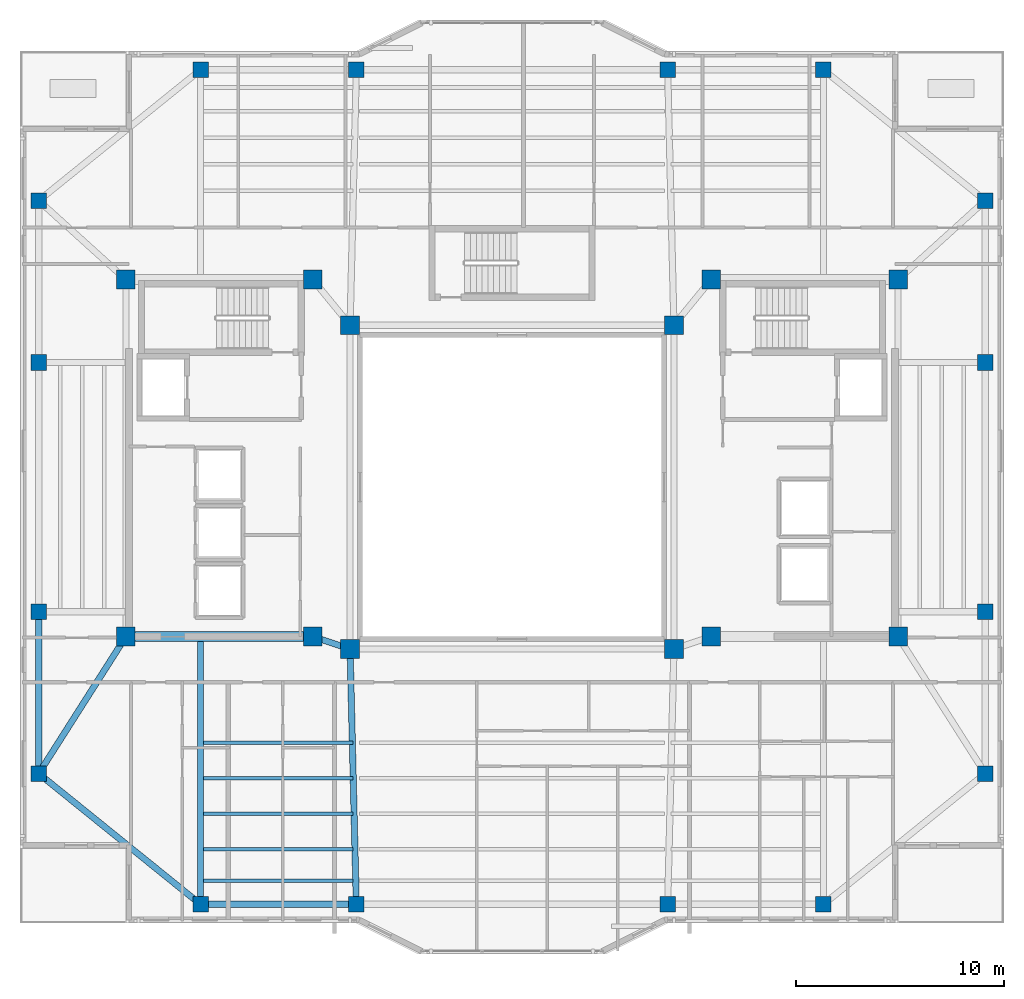
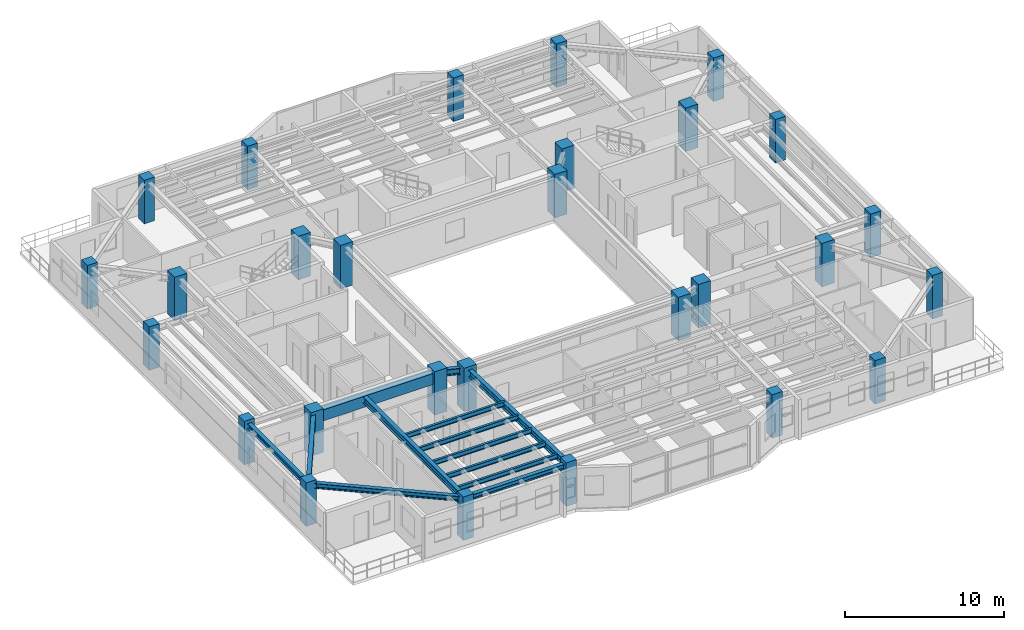
# One storey, part 1 of 15: 28 columns, 13 beams.
"""IFC4 building model written with IfcOpenShell, lengths in metres."""

import ifcopenshell
import ifcopenshell.guid

model = None  # the IFC model being written
_history = None  # IfcOwnerHistory: only IFC2X3 demands one
_inside = {}  # id of a spatial element -> (the spatial element, [elements in it])
_under = {}  # id of a project, library or spatial element -> (it, [spatial elements below it])
_declared = {}  # id of a project -> (the project, [libraries it declares])
_typed = {}  # id of a type object -> (the type object, [elements of that type])
_made_of = {}  # id of a material, layer set ... -> (it, [elements and type objects made of it])


def new_model(schema):
    """Start an empty IFC model of exactly this schema.

    Asked for "IFC4X3", IfcOpenShell would pick the latest addendum, in which some entities
    have other attributes; the version numbers below select the first issue.
    IFC2X3 requires an IfcOwnerHistory on every rooted entity: one is made here for all.
    """
    global model, _history
    if schema == "IFC4X3":
        model = ifcopenshell.file(schema_version=(4, 3, 0, 0))
    else:
        model = ifcopenshell.file(schema=schema)
    _inside.clear()
    _under.clear()
    _declared.clear()
    _typed.clear()
    _made_of.clear()
    _history = None
    if model.schema == "IFC2X3":
        org = make("IfcOrganization", Name="unknown")
        user = make(
            "IfcPersonAndOrganization",
            ThePerson=make("IfcPerson", FamilyName="unknown"),
            TheOrganization=org,
        )
        app = make(
            "IfcApplication",
            ApplicationDeveloper=org,
            Version="unknown",
            ApplicationFullName="unknown",
            ApplicationIdentifier="unknown",
        )
        _history = make(
            "IfcOwnerHistory",
            OwningUser=user,
            OwningApplication=app,
            ChangeAction="ADDED",
            CreationDate=0,
        )
    return model


def make(cls, **values):
    """One entity of the class cls with the attributes given. An attribute that is None is left unset."""
    return model.create_entity(
        cls, **{name: value for name, value in values.items() if value is not None}
    )


def rooted(cls, **values):
    """An entity with a GlobalId (a new one), such as an element, a storey or a relation."""
    return make(cls, GlobalId=ifcopenshell.guid.new(), OwnerHistory=_history, **values)


def si_unit(unit_type, name, prefix=None):
    """IfcSIUnit, for example si_unit("LENGTHUNIT", "METRE", prefix="MILLI")."""
    return make("IfcSIUnit", UnitType=unit_type, Prefix=prefix, Name=name)


def assignment(units):
    """IfcUnitAssignment: the units of a project."""
    return None if units is None else make("IfcUnitAssignment", Units=units)


def point(xyz):
    """IfcCartesianPoint."""
    return None if xyz is None else make("IfcCartesianPoint", Coordinates=xyz)


def direction(xyz):
    """IfcDirection."""
    return None if xyz is None else make("IfcDirection", DirectionRatios=xyz)


def frame(location, z_axis=None, x_axis=None):
    """IfcAxis2Placement3D, a coordinate frame: its origin and axes. An axis left out is left unset."""
    return make(
        "IfcAxis2Placement3D",
        Location=point(location),
        Axis=direction(z_axis),
        RefDirection=direction(x_axis),
    )


def frame_2d(location, x_axis=None):
    """IfcAxis2Placement2D, a coordinate frame in the plane: its origin and x axis."""
    return make(
        "IfcAxis2Placement2D", Location=point(location), RefDirection=direction(x_axis)
    )


def origin():
    """The frame at (0, 0, 0) with its axes left unset."""
    return frame((0.0, 0.0, 0.0))


def origin_2d():
    """The frame at (0, 0) in the plane with its x axis left unset."""
    return frame_2d((0.0, 0.0))


def place(relative_to, where):
    """IfcLocalPlacement: puts the frame where relative to a parent placement (None: the world)."""
    return make(
        "IfcLocalPlacement", PlacementRelTo=relative_to, RelativePlacement=where
    )


def context(
    kind, dimensions, precision=None, world=None, true_north=None, identifier=None
):
    """IfcGeometricRepresentationContext, for example the 3D "Model" context."""
    return make(
        "IfcGeometricRepresentationContext",
        ContextIdentifier=identifier,
        ContextType=kind,
        CoordinateSpaceDimension=dimensions,
        Precision=precision,
        WorldCoordinateSystem=world,
        TrueNorth=true_north,
    )


def subcontext(parent, identifier, kind, view, scale=None):
    """IfcGeometricRepresentationSubContext, for example "Body" below "Model"."""
    return make(
        "IfcGeometricRepresentationSubContext",
        ContextIdentifier=identifier,
        ContextType=kind,
        ParentContext=parent,
        TargetScale=scale,
        TargetView=view,
    )


def project(units=None, contexts=None):
    """IfcProject with its units and contexts."""
    return rooted(
        "IfcProject",
        Name="project",
        RepresentationContexts=contexts,
        UnitsInContext=assignment(units),
    )


def spatial(cls, under=None, at=None, **own):
    """A site, building, storey or space (cls), placed at a placement, below another one or the project."""
    s = rooted(cls, ObjectPlacement=at, **own)
    if under is not None:
        _under.setdefault(under.id(), (under, []))[1].append(s)
    return s


def profile(cls, at=None, kind="AREA", **sizes):
    """A parametric profile (cls). Its sizes go by their IFC names, for example OverallWidth=200.0."""
    return make(cls, ProfileType=kind, Position=at, **sizes)


def rectangle(**sizes):
    """IfcRectangleProfileDef."""
    return profile("IfcRectangleProfileDef", **sizes)


def i_section(**sizes):
    """IfcIShapeProfileDef."""
    return profile("IfcIShapeProfileDef", **sizes)


def extrude(swept, where, along, depth):
    """IfcExtrudedAreaSolid: the profile swept, set in the frame where, extruded along a direction by depth."""
    return make(
        "IfcExtrudedAreaSolid",
        SweptArea=swept,
        Position=where,
        ExtrudedDirection=direction(along),
        Depth=depth,
    )


def shape(context_of_items, identifier, shape_type, items):
    """IfcShapeRepresentation: the items that make up one representation, for example the "Body"."""
    return make(
        "IfcShapeRepresentation",
        ContextOfItems=context_of_items,
        RepresentationIdentifier=identifier,
        RepresentationType=shape_type,
        Items=items,
    )


def material(Name=None, Category=None):
    """IfcMaterial."""
    return make("IfcMaterial", Name=Name, Category=Category)


def material_profile(
    of_material, cross_section, Name=None, Category=None, Priority=None
):
    """IfcMaterialProfile: a cross section and its material."""
    return make(
        "IfcMaterialProfile",
        Name=Name,
        Material=of_material,
        Profile=cross_section,
        Priority=Priority,
        Category=Category,
    )


def profile_set(profiles, Name=None, composite=None):
    """IfcMaterialProfileSet."""
    return make(
        "IfcMaterialProfileSet",
        Name=Name,
        MaterialProfiles=profiles,
        CompositeProfile=composite,
    )


def made_of(thing, what):
    """Note that an element or type object is made of a material, layer set ...; save() writes the relation."""
    if what is not None:
        _made_of.setdefault(what.id(), (what, []))[1].append(thing)
    return thing


def type_object(cls, material=None, **own):
    """A type object (cls), such as IfcWallType, which elements share."""
    return made_of(rooted(cls, **own), material)


def element(
    cls,
    number,
    at=None,
    inside=None,
    cuts=None,
    type_object=None,
    material=None,
    context=None,
    identifier="Body",
    shape_type=None,
    held_by="IfcProductDefinitionShape",
    body=None,
    shapes=None,
    **own,
):
    """One element of the class cls, such as IfcWall. Its Tag is "e" and its number.

    at: its placement. inside: the storey or other place that contains it. cuts: it is an
    opening in that element (IfcRelVoidsElement). A single representation is given by context,
    identifier, shape_type and body (its items); several are given by shapes. held_by: the class
    of the entity that holds the representations. save() writes the other relations.
    """
    e = rooted(cls, Tag="e%d" % number, ObjectPlacement=at, **own)
    if body is not None:
        shapes = [shape(context, identifier, shape_type, body)]
    if shapes is not None:
        e.Representation = make(held_by, Representations=shapes)
    if inside is not None:
        _inside.setdefault(inside.id(), (inside, []))[1].append(e)
    if cuts is not None:
        rooted(
            "IfcRelVoidsElement", RelatingBuildingElement=cuts, RelatedOpeningElement=e
        )
    if type_object is not None:
        _typed.setdefault(type_object.id(), (type_object, []))[1].append(e)
    return made_of(e, material)


def aggregate(whole, parts):
    """IfcRelAggregates: a whole, such as a stair, and the parts it consists of."""
    return rooted("IfcRelAggregates", RelatingObject=whole, RelatedObjects=parts)


def save(model, path):
    """Write the relations noted so far, then the file.

    IfcRelAggregates (storeys below a building ...), IfcRelContainedInSpatialStructure (elements
    in a storey), IfcRelDefinesByType, IfcRelAssociatesMaterial and IfcRelDeclares: one each for
    every whole, place, type object, material and project.
    """
    for whole, parts in _under.values():
        aggregate(whole, parts)
    for where, things in _inside.values():
        rooted(
            "IfcRelContainedInSpatialStructure",
            RelatedElements=things,
            RelatingStructure=where,
        )
    for kind, things in _typed.values():
        rooted("IfcRelDefinesByType", RelatedObjects=things, RelatingType=kind)
    for what, things in _made_of.values():
        rooted("IfcRelAssociatesMaterial", RelatedObjects=things, RelatingMaterial=what)
    for by, libraries in _declared.values():
        rooted("IfcRelDeclares", RelatingContext=by, RelatedDefinitions=libraries)
    model.write(path)


model = new_model("IFC4")

# Units and contexts
model_context = context("Model", 3, precision=1e-05, world=origin(), true_north=direction((0.0, 1.0)))
body_context = subcontext(model_context, "Body", "Model", "MODEL_VIEW")
ifc_project = project(units=[si_unit("LENGTHUNIT", "METRE"), si_unit("AREAUNIT", "SQUARE_METRE"), si_unit("VOLUMEUNIT", "CUBIC_METRE"), si_unit("PLANEANGLEUNIT", "RADIAN"), si_unit("MASSUNIT", "GRAM", prefix="KILO")], contexts=[model_context])

# Site, building, storey
site_placement = place(None, origin())
site = spatial("IfcSite", under=ifc_project, at=site_placement, CompositionType="ELEMENT")
building_placement = place(site_placement, origin())
building = spatial("IfcBuilding", under=site, at=building_placement, Name="Tarnavaz Court Tower", CompositionType="ELEMENT")
storey_placement = place(building_placement, frame((0.0, 0.0, 186.89990234375)))
storey = spatial("IfcBuildingStorey", under=building, at=storey_placement, Name="L50", CompositionType="ELEMENT", Elevation=186.89990234375)

# Columns
ifc_material_1 = material(Name="Concrete C50/60", Category="concrete")
ifc_material_profile_1 = material_profile(ifc_material_1, rectangle(XDim=0.75, YDim=0.75, at=origin_2d()), Name="RC 750X750")
ifc_profile_set_1 = profile_set([ifc_material_profile_1], Name="Concrete C50/60")
column_type_1 = type_object("IfcColumnType", Name="CL-RC750", PredefinedType="COLUMN", material=ifc_profile_set_1)
for number, where, z_axis, x_axis, name in (
    (1, (-15.0, 20.10009765625, 0.0), (0.0, 0.0, 1.0), (1.0, 0.0, 0.0), "L50 Column PN-1"),
    (2, (-7.5, 20.10009765625, 0.0), (0.0, 0.0, 1.0), (1.0, 0.0, 0.0), "L50 Column PN-2"),
    (3, (7.5, 20.10009765625, 0.0), (0.0, 0.0, 1.0), (1.0, 0.0, 0.0), "L50 Column PN-3"),
    (4, (15.0, 20.10009765625, 0.0), (0.0, 0.0, 1.0), (1.0, 0.0, 0.0), "L50 Column PN-4"),
    (5, (-15.0, -20.10009765625, 0.0), (0.0, 0.0, 1.0), (1.0, 0.0, 0.0), "L50 Column PS-1"),
    (6, (-7.5, -20.10009765625, 0.0), (0.0, 0.0, 1.0), (1.0, 0.0, 0.0), "L50 Column PS-2"),
    (7, (7.5, -20.10009765625, 0.0), (0.0, 0.0, 1.0), (1.0, 0.0, 0.0), "L50 Column PS-3"),
    (8, (15.0, -20.10009765625, 0.0), (0.0, 0.0, 1.0), (1.0, 0.0, 0.0), "L50 Column PS-4"),
    (9, (22.800048828125, -13.800048828125, 0.0), (0.0, 0.0, 1.0), (1.0, 0.0, 0.0), "L50 Column PE-1"),
    (10, (22.800048828125, -6.0, 0.0), (0.0, 0.0, 1.0), (1.0, 0.0, 0.0), "L50 Column PE-2"),
    (11, (22.800048828125, 6.0, 0.0), (0.0, 0.0, 1.0), (1.0, 0.0, 0.0), "L50 Column PE-3"),
    (12, (22.800048828125, 13.800048828125, 0.0), (0.0, 0.0, 1.0), (1.0, 0.0, 0.0), "L50 Column PE-4"),
    (13, (-22.800048828125, -13.800048828125, 0.0), (0.0, 0.0, 1.0), (1.0, 0.0, 0.0), "L50 Column PW-1"),
    (14, (-22.800048828125, -6.0, 0.0), (0.0, 0.0, 1.0), (1.0, 0.0, 0.0), "L50 Column PW-2"),
    (15, (-22.800048828125, 6.0, 0.0), (0.0, 0.0, 1.0), (1.0, 0.0, 0.0), "L50 Column PW-3"),
    (16, (-22.800048828125, 13.800048828125, 0.0), (0.0, 0.0, 1.0), (1.0, 0.0, 0.0), "L50 Column PW-4"),
):
    element("IfcColumn", number, at=place(storey_placement, frame(where, z_axis=z_axis, x_axis=x_axis)), inside=storey, type_object=column_type_1, Name=name, PredefinedType="COLUMN", context=body_context, shape_type="SweptSolid", body=[
        extrude(rectangle(XDim=0.75, YDim=0.75, at=origin_2d()), origin(), (0.0, 0.0, 1.0), 3.35009765625),
    ])
ifc_material_profile_2 = material_profile(ifc_material_1, rectangle(XDim=0.89990234375, YDim=0.89990234375, at=origin_2d()), Name="RC 900X900")
ifc_profile_set_2 = profile_set([ifc_material_profile_2], Name="Concrete C50/60")
column_type_2 = type_object("IfcColumnType", Name="CL-RC900", PredefinedType="COLUMN", material=ifc_profile_set_2)
for number, where, z_axis, x_axis, name in (
    (17, (-7.800048828125, -7.800048828125, 0.0), (0.0, 0.0, 1.0), (1.0, 0.0, 0.0), "L50 Column IW-SW"),
    (18, (7.800048828125, -7.800048828125, 0.0), (0.0, 0.0, 1.0), (1.0, 0.0, 0.0), "L50 Column IW-SE"),
    (19, (-7.800048828125, 7.800048828125, 0.0), (0.0, 0.0, 1.0), (1.0, 0.0, 0.0), "L50 Column IW-NW"),
    (20, (7.800048828125, 7.800048828125, 0.0), (0.0, 0.0, 1.0), (1.0, 0.0, 0.0), "L50 Column IW-NE"),
    (21, (-9.60009765625, -7.199951171875, 0.0), (0.0, 0.0, 1.0), (1.0, 0.0, 0.0), "L50 Column CW-SI"),
    (22, (-9.60009765625, 10.0, 0.0), (0.0, 0.0, 1.0), (1.0, 0.0, 0.0), "L50 Column CW-NI"),
    (23, (9.60009765625, -7.199951171875, 0.0), (0.0, 0.0, 1.0), (1.0, 0.0, 0.0), "L50 Column CE-SI"),
    (24, (9.60009765625, 10.0, 0.0), (0.0, 0.0, 1.0), (1.0, 0.0, 0.0), "L50 Column CE-NI"),
    (25, (-18.60009765625, -7.199951171875, 0.0), (0.0, 0.0, 1.0), (1.0, 0.0, 0.0), "L50 Column CW-SO"),
    (26, (-18.60009765625, 10.0, 0.0), (0.0, 0.0, 1.0), (1.0, 0.0, 0.0), "L50 Column CW-NO"),
    (27, (18.60009765625, -7.199951171875, 0.0), (0.0, 0.0, 1.0), (1.0, 0.0, 0.0), "L50 Column CE-SO"),
    (28, (18.60009765625, 10.0, 0.0), (0.0, 0.0, 1.0), (1.0, 0.0, 0.0), "L50 Column CE-NO"),
):
    element("IfcColumn", number, at=place(storey_placement, frame(where, z_axis=z_axis, x_axis=x_axis)), inside=storey, type_object=column_type_2, Name=name, PredefinedType="COLUMN", context=body_context, shape_type="SweptSolid", body=[
        extrude(rectangle(XDim=0.89990234375, YDim=0.89990234375, at=origin_2d()), origin(), (0.0, 0.0, 1.0), 3.35009765625),
    ])

# Beams
ifc_material_profile_3 = material_profile(ifc_material_1, rectangle(XDim=0.5, YDim=0.85009765625, at=origin_2d()), Name="RC 500X850")
ifc_profile_set_3 = profile_set([ifc_material_profile_3], Name="Concrete C50/60")
beam_type_1 = type_object("IfcBeamType", Name="BM-CB850", PredefinedType="LINTEL", material=ifc_profile_set_3)
beam_1_placement = place(storey_placement, frame((-18.3798828125, -7.199951171875, 2.675048828125), z_axis=(1.0, 0.0, 0.0), x_axis=(0.0, 1.0, 0.0)))
element("IfcBeam", 29, at=beam_1_placement, inside=storey, type_object=beam_type_1, Name="L50 Beam IN-CW-SO-CW-SI", PredefinedType="LINTEL", context=body_context, shape_type="SweptSolid", body=[
    extrude(rectangle(XDim=0.5, YDim=0.85009765625, at=origin_2d()), origin(), (0.0, 0.0, 1.0), 8.559814453125),
])
ifc_material_2 = material(Name="Steel S355", Category="steel")
ifc_material_profile_4 = material_profile(ifc_material_2, i_section(OverallWidth=0.300048828125, OverallDepth=0.5, WebThickness=0.014404296875, FlangeThickness=0.028076171875, FilletRadius=0.027099609375, at=origin_2d()), Name="HEB 500")
ifc_profile_set_4 = profile_set([ifc_material_profile_4], Name="Steel S355")
beam_type_2 = type_object("IfcBeamType", Name="BM-G-HEB500", PredefinedType="USERDEFINED", material=ifc_profile_set_4)
beam_2_placement = place(storey_placement, frame((-9.391357421875, -7.26953125, 2.85009765625), z_axis=(0.948666544706, -0.316278021615, 0.0), x_axis=(0.316278021615, 0.948666544706, 0.0)))
element("IfcBeam", 30, at=beam_2_placement, inside=storey, type_object=beam_type_2, Name="L50 Beam IN-CW-SI-IW-SW", ObjectType="GIRDER", PredefinedType="USERDEFINED", context=body_context, shape_type="SweptSolid", body=[
    extrude(i_section(OverallWidth=0.300048828125, OverallDepth=0.5, WebThickness=0.014404296875, FlangeThickness=0.028076171875, FilletRadius=0.027099609375, at=origin_2d()), origin(), (0.0, 0.0, 1.0), 1.457275390625),
])
beam_3_placement = place(storey_placement, frame((-15.0, -7.239990234375, 2.85009765625), z_axis=(0.0, -1.0, 0.0), x_axis=(1.0, 0.0, 0.0)))
element("IfcBeam", 31, at=beam_3_placement, inside=storey, type_object=beam_type_2, Name="L50 Beam RG-05", ObjectType="GIRDER", PredefinedType="USERDEFINED", context=body_context, shape_type="SweptSolid", body=[
    extrude(i_section(OverallWidth=0.300048828125, OverallDepth=0.5, WebThickness=0.014404296875, FlangeThickness=0.028076171875, FilletRadius=0.027099609375, at=origin_2d()), origin(), (0.0, 0.0, 1.0), 12.639892578125),
])
beam_4_placement = place(storey_placement, frame((-7.794677734375, -8.02001953125, 2.85009765625), z_axis=(0.024386002211, -0.99970261723, 0.0), x_axis=(0.99970261723, 0.024386002211, 0.0)))
element("IfcBeam", 32, at=beam_4_placement, inside=storey, type_object=beam_type_2, Name="L50 Beam RG-06", ObjectType="GIRDER", PredefinedType="USERDEFINED", context=body_context, shape_type="SweptSolid", body=[
    extrude(i_section(OverallWidth=0.300048828125, OverallDepth=0.5, WebThickness=0.014404296875, FlangeThickness=0.028076171875, FilletRadius=0.027099609375, at=origin_2d()), origin(), (0.0, 0.0, 1.0), 11.863525390625),
])
beam_5_placement = place(storey_placement, frame((-18.718017578125, -7.385498046875, 2.85009765625), z_axis=(-0.536871212964, -0.843664210863, 0.0), x_axis=(0.843664210863, -0.536871212964, 0.0)))
element("IfcBeam", 33, at=beam_5_placement, inside=storey, type_object=beam_type_2, Name="L50 Beam RG-15", ObjectType="GIRDER", PredefinedType="USERDEFINED", context=body_context, shape_type="SweptSolid", body=[
    extrude(i_section(OverallWidth=0.300048828125, OverallDepth=0.5, WebThickness=0.014404296875, FlangeThickness=0.028076171875, FilletRadius=0.027099609375, at=origin_2d()), origin(), (0.0, 0.0, 1.0), 7.38330078125),
])
ifc_material_profile_5 = material_profile(ifc_material_2, i_section(OverallWidth=0.169921875, OverallDepth=0.360107421875, WebThickness=0.008056640625, FlangeThickness=0.0126953125, FilletRadius=0.01806640625, at=origin_2d()), Name="IPE 360")
ifc_profile_set_5 = profile_set([ifc_material_profile_5], Name="Steel S355")
beam_type_3 = type_object("IfcBeamType", Name="BM-J-IPE360", PredefinedType="JOIST", material=ifc_profile_set_5)
for number, where, z_axis, x_axis, name in (
    (34, (-14.85009765625, -12.31005859375, 2.920166015625), (1.0, 0.0, 0.0), (0.0, 1.0, 0.0), "L50 Beam JS1-1"),
    (35, (-14.85009765625, -14.02001953125, 2.920166015625), (1.0, 0.0, 0.0), (0.0, 1.0, 0.0), "L50 Beam JS2-1"),
    (36, (-14.85009765625, -15.72998046875, 2.920166015625), (1.0, 0.0, 0.0), (0.0, 1.0, 0.0), "L50 Beam JS3-1"),
    (37, (-14.85009765625, -17.43994140625, 2.920166015625), (1.0, 0.0, 0.0), (0.0, 1.0, 0.0), "L50 Beam JS4-1"),
    (38, (-14.85009765625, -18.9599609375, 2.920166015625), (1.0, 0.0, 0.0), (0.0, 1.0, 0.0), "L50 Beam JS5-1"),
):
    element("IfcBeam", number, at=place(storey_placement, frame(where, z_axis=z_axis, x_axis=x_axis)), inside=storey, type_object=beam_type_3, Name=name, PredefinedType="JOIST", context=body_context, shape_type="SweptSolid", body=[
        extrude(i_section(OverallWidth=0.169921875, OverallDepth=0.360107421875, WebThickness=0.008056640625, FlangeThickness=0.0126953125, FilletRadius=0.01806640625, at=origin_2d()), origin(), (0.0, 0.0, 1.0), 7.2001953125),
    ])
ifc_material_profile_6 = material_profile(ifc_material_2, i_section(OverallWidth=0.300048828125, OverallDepth=0.389892578125, WebThickness=0.010986328125, FlangeThickness=0.01904296875, FilletRadius=0.027099609375, at=origin_2d()), Name="HEA 400")
ifc_profile_set_6 = profile_set([ifc_material_profile_6], Name="Steel S355")
beam_type_4 = type_object("IfcBeamType", Name="BM-SP-HEA400", PredefinedType="BEAM", material=ifc_profile_set_6)
beam_6_placement = place(storey_placement, frame((-14.780029296875, -20.10009765625, 2.905029296875), z_axis=(1.0, 0.0, 0.0), x_axis=(0.0, 1.0, 0.0)))
element("IfcBeam", 39, at=beam_6_placement, inside=storey, type_object=beam_type_4, Name="L50 Beam PR-PS-1-PS-2", PredefinedType="BEAM", context=body_context, shape_type="SweptSolid", body=[
    extrude(i_section(OverallWidth=0.300048828125, OverallDepth=0.389892578125, WebThickness=0.010986328125, FlangeThickness=0.01904296875, FilletRadius=0.027099609375, at=origin_2d()), origin(), (0.0, 0.0, 1.0), 7.06005859375),
])
beam_7_placement = place(storey_placement, frame((-22.800048828125, -13.580078125, 2.905029296875), z_axis=(0.0, 1.0, 0.0), x_axis=(-1.0, 0.0, 0.0)))
element("IfcBeam", 40, at=beam_7_placement, inside=storey, type_object=beam_type_4, Name="L50 Beam PR-PW-1-PW-2", PredefinedType="BEAM", context=body_context, shape_type="SweptSolid", body=[
    extrude(i_section(OverallWidth=0.300048828125, OverallDepth=0.389892578125, WebThickness=0.010986328125, FlangeThickness=0.01904296875, FilletRadius=0.027099609375, at=origin_2d()), origin(), (0.0, 0.0, 1.0), 7.360107421875),
])
beam_8_placement = place(storey_placement, frame((-15.171142578125, -19.9619140625, 2.905029296875), z_axis=(-0.777935913531, 0.628343627674, 0.0), x_axis=(-0.628343627674, -0.777935913531, 0.0)))
element("IfcBeam", 41, at=beam_8_placement, inside=storey, type_object=beam_type_4, Name="L50 Beam PR-PS-1-PW-1", PredefinedType="BEAM", context=body_context, shape_type="SweptSolid", body=[
    extrude(i_section(OverallWidth=0.300048828125, OverallDepth=0.389892578125, WebThickness=0.010986328125, FlangeThickness=0.01904296875, FilletRadius=0.027099609375, at=origin_2d()), origin(), (0.0, 0.0, 1.0), 9.586669921875),
])

save(model, "model.ifc")
